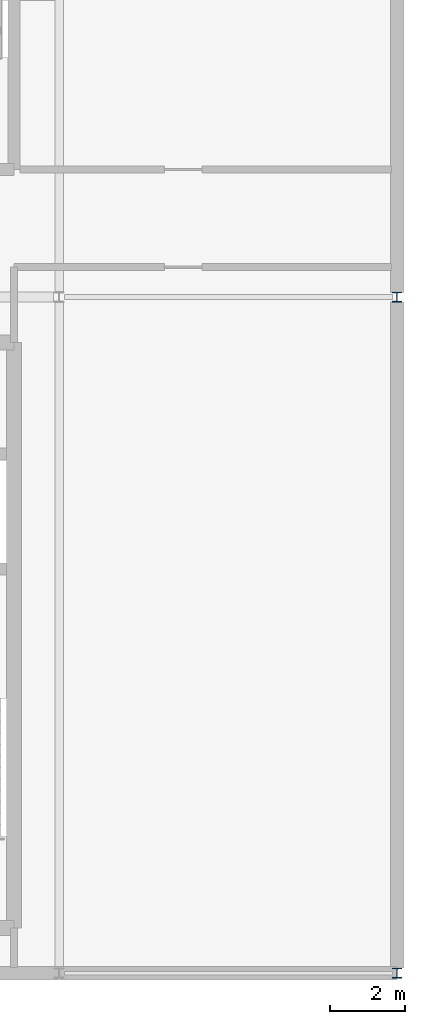
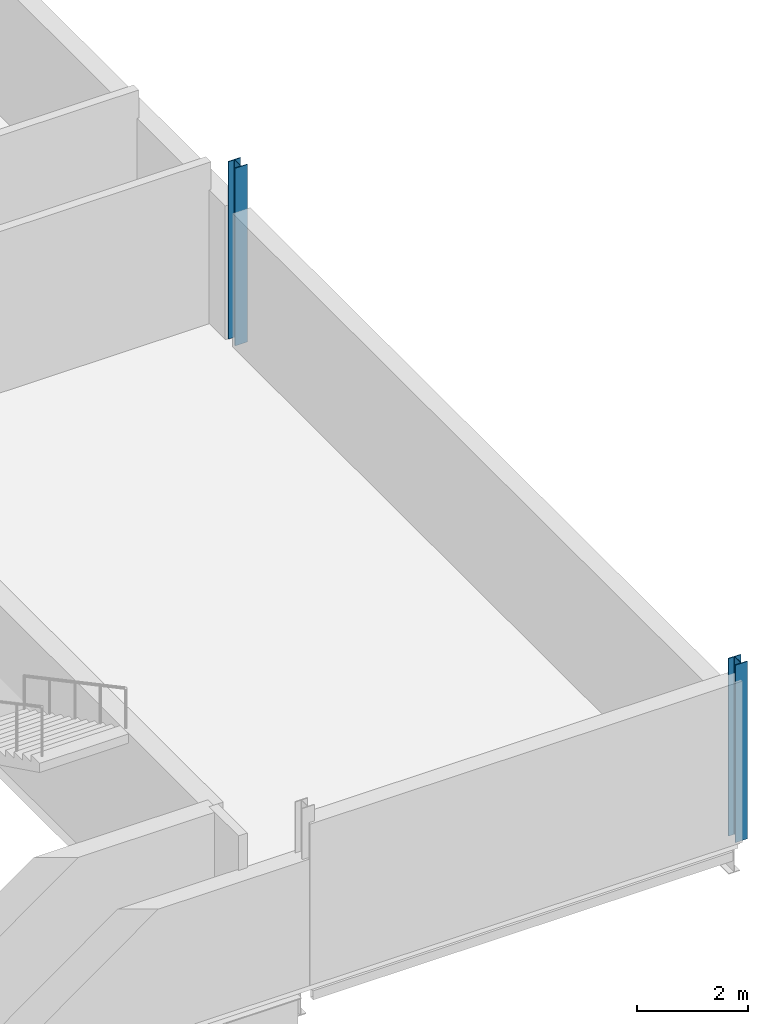
# One storey, part 8 of 30: 2 columns.
"""IFC4 building model written with IfcOpenShell, lengths in metres."""

import ifcopenshell
import ifcopenshell.guid

model = None  # the IFC model being written
_history = None  # IfcOwnerHistory: only IFC2X3 demands one
_inside = {}  # id of a spatial element -> (the spatial element, [elements in it])
_under = {}  # id of a project, library or spatial element -> (it, [spatial elements below it])
_declared = {}  # id of a project -> (the project, [libraries it declares])
_typed = {}  # id of a type object -> (the type object, [elements of that type])
_made_of = {}  # id of a material, layer set ... -> (it, [elements and type objects made of it])


def new_model(schema):
    """Start an empty IFC model of exactly this schema.

    Asked for "IFC4X3", IfcOpenShell would pick the latest addendum, in which some entities
    have other attributes; the version numbers below select the first issue.
    IFC2X3 requires an IfcOwnerHistory on every rooted entity: one is made here for all.
    """
    global model, _history
    if schema == "IFC4X3":
        model = ifcopenshell.file(schema_version=(4, 3, 0, 0))
    else:
        model = ifcopenshell.file(schema=schema)
    _inside.clear()
    _under.clear()
    _declared.clear()
    _typed.clear()
    _made_of.clear()
    _history = None
    if model.schema == "IFC2X3":
        org = make("IfcOrganization", Name="unknown")
        user = make(
            "IfcPersonAndOrganization",
            ThePerson=make("IfcPerson", FamilyName="unknown"),
            TheOrganization=org,
        )
        app = make(
            "IfcApplication",
            ApplicationDeveloper=org,
            Version="unknown",
            ApplicationFullName="unknown",
            ApplicationIdentifier="unknown",
        )
        _history = make(
            "IfcOwnerHistory",
            OwningUser=user,
            OwningApplication=app,
            ChangeAction="ADDED",
            CreationDate=0,
        )
    return model


def make(cls, **values):
    """One entity of the class cls with the attributes given. An attribute that is None is left unset."""
    return model.create_entity(
        cls, **{name: value for name, value in values.items() if value is not None}
    )


def rooted(cls, **values):
    """An entity with a GlobalId (a new one), such as an element, a storey or a relation."""
    return make(cls, GlobalId=ifcopenshell.guid.new(), OwnerHistory=_history, **values)


def si_unit(unit_type, name, prefix=None):
    """IfcSIUnit, for example si_unit("LENGTHUNIT", "METRE", prefix="MILLI")."""
    return make("IfcSIUnit", UnitType=unit_type, Prefix=prefix, Name=name)


def assignment(units):
    """IfcUnitAssignment: the units of a project."""
    return None if units is None else make("IfcUnitAssignment", Units=units)


def point(xyz):
    """IfcCartesianPoint."""
    return None if xyz is None else make("IfcCartesianPoint", Coordinates=xyz)


def direction(xyz):
    """IfcDirection."""
    return None if xyz is None else make("IfcDirection", DirectionRatios=xyz)


def frame(location, z_axis=None, x_axis=None):
    """IfcAxis2Placement3D, a coordinate frame: its origin and axes. An axis left out is left unset."""
    return make(
        "IfcAxis2Placement3D",
        Location=point(location),
        Axis=direction(z_axis),
        RefDirection=direction(x_axis),
    )


def frame_2d(location, x_axis=None):
    """IfcAxis2Placement2D, a coordinate frame in the plane: its origin and x axis."""
    return make(
        "IfcAxis2Placement2D", Location=point(location), RefDirection=direction(x_axis)
    )


def origin():
    """The frame at (0, 0, 0) with its axes left unset."""
    return frame((0.0, 0.0, 0.0))


def origin_2d():
    """The frame at (0, 0) in the plane with its x axis left unset."""
    return frame_2d((0.0, 0.0))


def place(relative_to, where):
    """IfcLocalPlacement: puts the frame where relative to a parent placement (None: the world)."""
    return make(
        "IfcLocalPlacement", PlacementRelTo=relative_to, RelativePlacement=where
    )


def context(
    kind, dimensions, precision=None, world=None, true_north=None, identifier=None
):
    """IfcGeometricRepresentationContext, for example the 3D "Model" context."""
    return make(
        "IfcGeometricRepresentationContext",
        ContextIdentifier=identifier,
        ContextType=kind,
        CoordinateSpaceDimension=dimensions,
        Precision=precision,
        WorldCoordinateSystem=world,
        TrueNorth=true_north,
    )


def subcontext(parent, identifier, kind, view, scale=None):
    """IfcGeometricRepresentationSubContext, for example "Body" below "Model"."""
    return make(
        "IfcGeometricRepresentationSubContext",
        ContextIdentifier=identifier,
        ContextType=kind,
        ParentContext=parent,
        TargetScale=scale,
        TargetView=view,
    )


def project(units=None, contexts=None):
    """IfcProject with its units and contexts."""
    return rooted(
        "IfcProject",
        Name="project",
        RepresentationContexts=contexts,
        UnitsInContext=assignment(units),
    )


def spatial(cls, under=None, at=None, **own):
    """A site, building, storey or space (cls), placed at a placement, below another one or the project."""
    s = rooted(cls, ObjectPlacement=at, **own)
    if under is not None:
        _under.setdefault(under.id(), (under, []))[1].append(s)
    return s


def profile(cls, at=None, kind="AREA", **sizes):
    """A parametric profile (cls). Its sizes go by their IFC names, for example OverallWidth=200.0."""
    return make(cls, ProfileType=kind, Position=at, **sizes)


def i_section(**sizes):
    """IfcIShapeProfileDef."""
    return profile("IfcIShapeProfileDef", **sizes)


def extrude(swept, where, along, depth):
    """IfcExtrudedAreaSolid: the profile swept, set in the frame where, extruded along a direction by depth."""
    return make(
        "IfcExtrudedAreaSolid",
        SweptArea=swept,
        Position=where,
        ExtrudedDirection=direction(along),
        Depth=depth,
    )


def shape(context_of_items, identifier, shape_type, items):
    """IfcShapeRepresentation: the items that make up one representation, for example the "Body"."""
    return make(
        "IfcShapeRepresentation",
        ContextOfItems=context_of_items,
        RepresentationIdentifier=identifier,
        RepresentationType=shape_type,
        Items=items,
    )


def material(Name=None, Category=None):
    """IfcMaterial."""
    return make("IfcMaterial", Name=Name, Category=Category)


def material_profile(
    of_material, cross_section, Name=None, Category=None, Priority=None
):
    """IfcMaterialProfile: a cross section and its material."""
    return make(
        "IfcMaterialProfile",
        Name=Name,
        Material=of_material,
        Profile=cross_section,
        Priority=Priority,
        Category=Category,
    )


def profile_set(profiles, Name=None, composite=None):
    """IfcMaterialProfileSet."""
    return make(
        "IfcMaterialProfileSet",
        Name=Name,
        MaterialProfiles=profiles,
        CompositeProfile=composite,
    )


def made_of(thing, what):
    """Note that an element or type object is made of a material, layer set ...; save() writes the relation."""
    if what is not None:
        _made_of.setdefault(what.id(), (what, []))[1].append(thing)
    return thing


def type_object(cls, material=None, **own):
    """A type object (cls), such as IfcWallType, which elements share."""
    return made_of(rooted(cls, **own), material)


def element(
    cls,
    number,
    at=None,
    inside=None,
    cuts=None,
    type_object=None,
    material=None,
    context=None,
    identifier="Body",
    shape_type=None,
    held_by="IfcProductDefinitionShape",
    body=None,
    shapes=None,
    **own,
):
    """One element of the class cls, such as IfcWall. Its Tag is "e" and its number.

    at: its placement. inside: the storey or other place that contains it. cuts: it is an
    opening in that element (IfcRelVoidsElement). A single representation is given by context,
    identifier, shape_type and body (its items); several are given by shapes. held_by: the class
    of the entity that holds the representations. save() writes the other relations.
    """
    e = rooted(cls, Tag="e%d" % number, ObjectPlacement=at, **own)
    if body is not None:
        shapes = [shape(context, identifier, shape_type, body)]
    if shapes is not None:
        e.Representation = make(held_by, Representations=shapes)
    if inside is not None:
        _inside.setdefault(inside.id(), (inside, []))[1].append(e)
    if cuts is not None:
        rooted(
            "IfcRelVoidsElement", RelatingBuildingElement=cuts, RelatedOpeningElement=e
        )
    if type_object is not None:
        _typed.setdefault(type_object.id(), (type_object, []))[1].append(e)
    return made_of(e, material)


def aggregate(whole, parts):
    """IfcRelAggregates: a whole, such as a stair, and the parts it consists of."""
    return rooted("IfcRelAggregates", RelatingObject=whole, RelatedObjects=parts)


def save(model, path):
    """Write the relations noted so far, then the file.

    IfcRelAggregates (storeys below a building ...), IfcRelContainedInSpatialStructure (elements
    in a storey), IfcRelDefinesByType, IfcRelAssociatesMaterial and IfcRelDeclares: one each for
    every whole, place, type object, material and project.
    """
    for whole, parts in _under.values():
        aggregate(whole, parts)
    for where, things in _inside.values():
        rooted(
            "IfcRelContainedInSpatialStructure",
            RelatedElements=things,
            RelatingStructure=where,
        )
    for kind, things in _typed.values():
        rooted("IfcRelDefinesByType", RelatedObjects=things, RelatingType=kind)
    for what, things in _made_of.values():
        rooted("IfcRelAssociatesMaterial", RelatedObjects=things, RelatingMaterial=what)
    for by, libraries in _declared.values():
        rooted("IfcRelDeclares", RelatingContext=by, RelatedDefinitions=libraries)
    model.write(path)


model = new_model("IFC4")

# Units and contexts
model_context = context("Model", 3, precision=1e-05, world=origin(), true_north=direction((0.0, 1.0)))
body_context = subcontext(model_context, "Body", "Model", "MODEL_VIEW")
ifc_project = project(units=[si_unit("LENGTHUNIT", "METRE"), si_unit("AREAUNIT", "SQUARE_METRE"), si_unit("VOLUMEUNIT", "CUBIC_METRE"), si_unit("PLANEANGLEUNIT", "RADIAN"), si_unit("MASSUNIT", "GRAM", prefix="KILO")], contexts=[model_context])

# Site, building, storey
site_placement = place(None, origin())
site = spatial("IfcSite", under=ifc_project, at=site_placement, CompositionType="ELEMENT")
building_placement = place(site_placement, origin())
building = spatial("IfcBuilding", under=site, at=building_placement, Name="Kisiwana Market Hall", CompositionType="ELEMENT")
storey_placement = place(building_placement, frame((0.0, 0.0, 54.0)))
storey = spatial("IfcBuildingStorey", under=building, at=storey_placement, Name="L12", CompositionType="ELEMENT", Elevation=54.0)

# Columns
ifc_material = material(Name="Steel S355", Category="steel")
ifc_material_profile = material_profile(ifc_material, i_section(OverallWidth=0.25634765625, OverallDepth=0.26025390625, WebThickness=0.01025390625, FlangeThickness=0.017333984375, FilletRadius=0.0126953125, at=origin_2d()), Name="UC 254x254x89")
ifc_profile_set = profile_set([ifc_material_profile], Name="Steel S355")
column_type = type_object("IfcColumnType", Name="COL-STL-UC089", PredefinedType="COLUMN", material=ifc_profile_set)
for number, where, z_axis, x_axis, name in (
    (1, (198.0, 18.0, 0.0), (0.0, 0.0, 1.0), (1.0, 0.0, 0.0), "Column C/23 (L12) C-1393"),
    (2, (198.0, 36.0, 0.0), (0.0, 0.0, 1.0), (1.0, 0.0, 0.0), "Column E/23 (L12) C-1394"),
):
    element("IfcColumn", number, at=place(storey_placement, frame(where, z_axis=z_axis, x_axis=x_axis)), inside=storey, type_object=column_type, Name=name, PredefinedType="COLUMN", context=body_context, shape_type="SweptSolid", body=[
        extrude(i_section(OverallWidth=0.25634765625, OverallDepth=0.26025390625, WebThickness=0.01025390625, FlangeThickness=0.017333984375, FilletRadius=0.0126953125, at=origin_2d()), origin(), (0.0, 0.0, 1.0), 3.89990234375),
    ])

save(model, "model.ifc")
